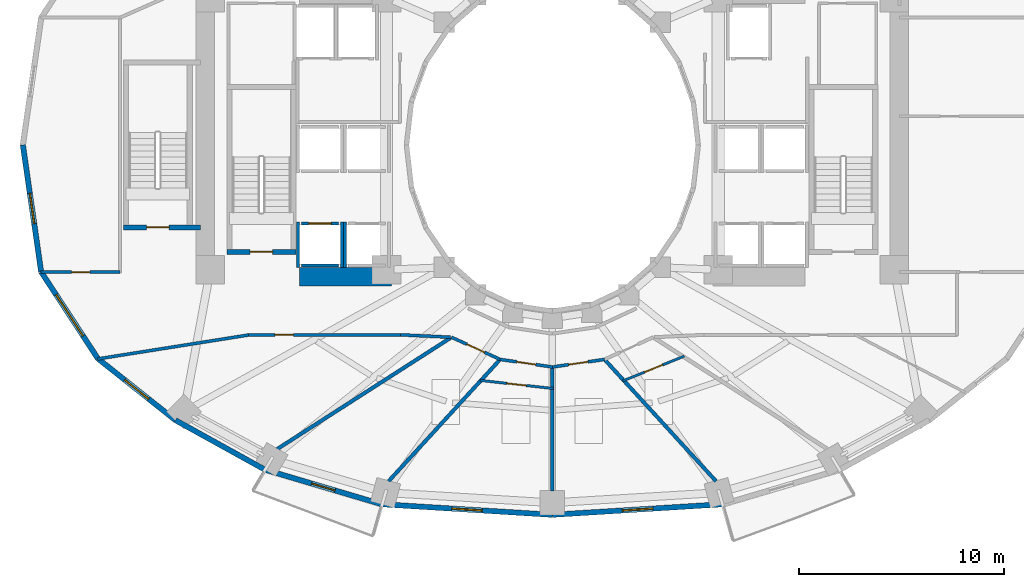
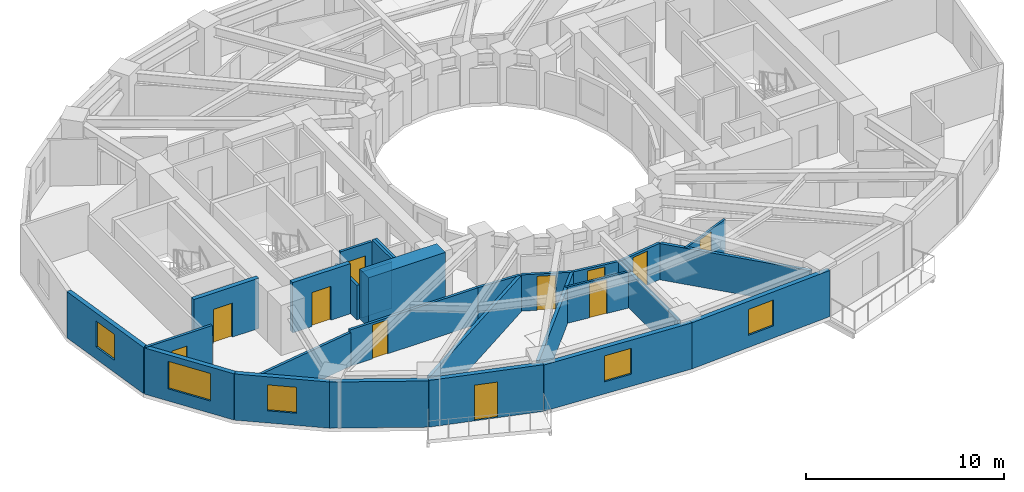
# One storey, part 3 of 11: 28 walls, 11 doors, 5 windows, 16 openings.
"""IFC4 building model written with IfcOpenShell, lengths in metres."""

from ifc_helpers import new_model, si_unit, direction, frame, frame_2d, origin, place, context, subcontext, project, spatial, rectangle, extrude, material, layer, layer_set, type_object, element, fill, save


model = new_model("IFC4")

# Units and contexts
model_context = context("Model", 3, precision=1e-05, world=origin(), true_north=direction((0.0, 1.0)))
body_context = subcontext(model_context, "Body", "Model", "MODEL_VIEW")
ifc_project = project(units=[si_unit("LENGTHUNIT", "METRE"), si_unit("AREAUNIT", "SQUARE_METRE"), si_unit("VOLUMEUNIT", "CUBIC_METRE"), si_unit("PLANEANGLEUNIT", "RADIAN"), si_unit("MASSUNIT", "GRAM", prefix="KILO")], contexts=[model_context])

# Site, building, storey
site_placement = place(None, origin())
site = spatial("IfcSite", under=ifc_project, at=site_placement, CompositionType="ELEMENT")
building_placement = place(site_placement, origin())
building = spatial("IfcBuilding", under=site, at=building_placement, Name="Solvane Sanctuary Tower", CompositionType="ELEMENT")
storey_placement = place(building_placement, frame((0.0, 0.0, 49.300048828125)))
storey = spatial("IfcBuildingStorey", under=building, at=storey_placement, Name="L14", CompositionType="ELEMENT", Elevation=49.300048828125)

# Wall
ifc_material_1 = material(Name="Concrete C70/85", Category="concrete")
ifc_layer_1 = layer(ifc_material_1, 0.89990234375, Name="Concrete C70/85")
ifc_layer_set_1 = layer_set([ifc_layer_1], Name="Concrete C70/85")
wall_type_1 = type_object("IfcWallType", Name="Wall W-CORE-900", PredefinedType="SHEAR", material=ifc_layer_set_1)
wall_1_placement = place(storey_placement, frame((19.64990234375, 16.550048828125, 0.0), z_axis=(0.0, 0.0, 1.0), x_axis=(1.0, 0.0, 0.0)))
element("IfcWall", 1, at=wall_1_placement, inside=storey, type_object=wall_type_1, Name="L14 Core Shear Wall WC-S", PredefinedType="SHEAR", context=body_context, shape_type="SweptSolid", body=[
    extrude(rectangle(XDim=4.5, YDim=0.89990234375, at=frame_2d((2.25, 0.0))), origin(), (0.0, 0.0, 1.0), 3.099853515625),
])

# Wall, opening, door
ifc_material_2 = material(Name="Acoustic Gypsum Partition Board")
ifc_layer_2 = layer(ifc_material_2, 0.14990234375, Name="Acoustic Gypsum Partition Board")
ifc_layer_set_2 = layer_set([ifc_layer_2], Name="Acoustic Gypsum Partition Board")
wall_type_2 = type_object("IfcWallType", Name="Wall W-CORR-150", PredefinedType="PARTITIONING", material=ifc_layer_set_2)
wall_2_placement = place(storey_placement, frame((7.013671875, 16.788330078125, 0.0), z_axis=(0.0, 0.0, 1.0), x_axis=(1.0, 0.0, 0.0)))
wall_2 = element("IfcWall", 2, at=wall_2_placement, inside=storey, type_object=wall_type_2, Name="L14 West Shoulder South Wall", PredefinedType="PARTITIONING", context=body_context, shape_type="SweptSolid", body=[
    extrude(rectangle(XDim=3.8662109375, YDim=0.14990234375, at=frame_2d((1.93310546875, 0.0))), origin(), (0.0, 0.0, 1.0), 2.85498046875),
])
opening_1_placement = place(wall_2_placement, frame((1.503173828125, 0.0, 0.0)))
opening_1 = element("IfcOpeningElement", 3, at=opening_1_placement, cuts=wall_2, Name="Opening D-L14-14", PredefinedType="OPENING", context=body_context, shape_type="SweptSolid", body=[
    extrude(rectangle(XDim=0.89990234375, YDim=2.10009765625, at=frame_2d((0.449951171875, 1.050048828125))), frame((0.0, 0.0849609375, 0.0), z_axis=(0.0, -1.0, 0.0), x_axis=(1.0, 0.0, 0.0)), (0.0, 0.0, 1.0), 0.169921875),
])
ifc_material_3 = material(Name="Engineered Tropical Hardwood", Category="wood")
door_type_1 = type_object("IfcDoorType", Name="Door D-WET-900", OperationType="NOTDEFINED", PredefinedType="DOOR", material=ifc_material_3)
door_1_placement = place(opening_1_placement, origin())
door_1 = element("IfcDoor", 4, at=door_1_placement, inside=storey, type_object=door_type_1, Name="L14 West Shoulder South Door", OperationType="SINGLE_SWING_RIGHT", OverallHeight=2.10009765625, OverallWidth=0.89990234375, PredefinedType="DOOR", context=body_context, shape_type="SweptSolid", body=[
    extrude(rectangle(XDim=0.89990234375, YDim=2.10009765625, at=frame_2d((0.449951171875, 1.050048828125))), frame((0.0, 0.02490234375, 0.0), z_axis=(0.0, -1.0, 0.0), x_axis=(1.0, 0.0, 0.0)), (0.0, 0.0, 1.0), 0.050048828125),
])
fill(opening_1, door_1)

# Wall
wall_3_placement = place(storey_placement, frame((27.02001953125, 13.606201171875, 0.0), z_axis=(0.0, 0.0, 1.0), x_axis=(-0.998877427952, 0.047369651964, 0.0)))
element("IfcWall", 5, at=wall_3_placement, inside=storey, type_object=wall_type_2, Name="L14 SW Corner Throat Wall", PredefinedType="PARTITIONING", context=body_context, shape_type="SweptSolid", body=[
    extrude(rectangle(XDim=2.4326171875, YDim=0.14990234375, at=frame_2d((1.21630859375, 0.0))), origin(), (0.0, 0.0, 1.0), 2.237060546875),
])

# Wall, opening, door
wall_4_placement = place(storey_placement, frame((17.14990234375, 13.719970703125, 0.0), z_axis=(0.0, 0.0, 1.0), x_axis=(1.0, 0.0, 0.0)))
wall_4 = element("IfcWall", 6, at=wall_4_placement, inside=storey, type_object=wall_type_2, Name="L14 SW Corner Corridor Wall", PredefinedType="PARTITIONING", context=body_context, shape_type="SweptSolid", body=[
    extrude(rectangle(XDim=7.52001953125, YDim=0.14990234375, at=frame_2d((3.760009765625, 0.0))), origin(), (0.0, 0.0, 1.0), 2.237060546875),
])
opening_2_placement = place(wall_4_placement, frame((1.300048828125, 0.0, 0.0)))
opening_2 = element("IfcOpeningElement", 7, at=opening_2_placement, cuts=wall_4, Name="Opening D-L14-19", PredefinedType="OPENING", context=body_context, shape_type="SweptSolid", body=[
    extrude(rectangle(XDim=0.89990234375, YDim=2.10009765625, at=frame_2d((0.449951171875, 1.050048828125))), frame((0.0, 0.0849609375, 0.0), z_axis=(0.0, -1.0, 0.0), x_axis=(1.0, 0.0, 0.0)), (0.0, 0.0, 1.0), 0.169921875),
])
door_2_placement = place(opening_2_placement, origin())
door_2 = element("IfcDoor", 8, at=door_2_placement, inside=storey, type_object=door_type_1, Name="L14 SW Corner Salon Door", OperationType="SINGLE_SWING_LEFT", OverallHeight=2.10009765625, OverallWidth=0.89990234375, PredefinedType="DOOR", context=body_context, shape_type="SweptSolid", body=[
    extrude(rectangle(XDim=0.89990234375, YDim=2.10009765625, at=frame_2d((0.449951171875, 1.050048828125))), frame((0.0, 0.02490234375, 0.0), z_axis=(0.0, -1.0, 0.0), x_axis=(1.0, 0.0, 0.0)), (0.0, 0.0, 1.0), 0.050048828125),
])
fill(opening_2, door_2)

# Wall
wall_5_placement = place(storey_placement, frame((17.24951171875, 13.727783203125, 0.0), z_axis=(0.0, 0.0, 1.0), x_axis=(-0.987655781226, -0.156639898525, 0.0)))
element("IfcWall", 9, at=wall_5_placement, inside=storey, type_object=wall_type_2, Name="L14 SW Corner Wing Wall", PredefinedType="PARTITIONING", context=body_context, shape_type="SweptSolid", body=[
    extrude(rectangle(XDim=7.551513671875, YDim=0.14990234375, at=frame_2d((3.77587890625, 0.0))), origin(), (0.0, 0.0, 1.0), 2.06884765625),
])

# Wall, opening, door
wall_6_placement = place(storey_placement, frame((27.069091796875, 13.607421875, 0.0), z_axis=(0.0, 0.0, 1.0), x_axis=(0.909747571199, -0.415161843982, 0.0)))
wall_6 = element("IfcWall", 10, at=wall_6_placement, inside=storey, type_object=wall_type_2, Name="L14 Unit Corridor Wall S1", PredefinedType="PARTITIONING", context=body_context, shape_type="SweptSolid", body=[
    extrude(rectangle(XDim=2.625, YDim=0.14990234375, at=frame_2d((1.3125, 0.0))), origin(), (0.0, 0.0, 1.0), 2.237060546875),
])
opening_3_placement = place(wall_6_placement, frame((0.837646484375, 0.0, 0.0)))
opening_3 = element("IfcOpeningElement", 11, at=opening_3_placement, cuts=wall_6, Name="Opening D-L14-27", PredefinedType="OPENING", context=body_context, shape_type="SweptSolid", body=[
    extrude(rectangle(XDim=0.949951171875, YDim=2.10009765625, at=frame_2d((0.47509765625, 1.050048828125))), frame((0.0, 0.0849609375, 0.0), z_axis=(0.0, -1.0, 0.0), x_axis=(1.0, 0.0, 0.0)), (0.0, 0.0, 1.0), 0.169921875),
])
door_type_2 = type_object("IfcDoorType", Name="Door D-ROOM-950", OperationType="NOTDEFINED", PredefinedType="DOOR", material=ifc_material_3)
door_3_placement = place(opening_3_placement, origin())
door_3 = element("IfcDoor", 12, at=door_3_placement, inside=storey, type_object=door_type_2, Name="L14 Unit Entrance Door S1", OperationType="SINGLE_SWING_LEFT", OverallHeight=2.10009765625, OverallWidth=0.949951171875, PredefinedType="DOOR", context=body_context, shape_type="SweptSolid", body=[
    extrude(rectangle(XDim=0.949951171875, YDim=2.10009765625, at=frame_2d((0.47509765625, 1.050048828125))), frame((0.0, 0.02490234375, 0.0), z_axis=(0.0, -1.0, 0.0), x_axis=(1.0, 0.0, 0.0)), (0.0, 0.0, 1.0), 0.050048828125),
])
fill(opening_3, door_3)

wall_7_placement = place(storey_placement, frame((29.444091796875, 12.521728515625, 0.0), z_axis=(0.0, 0.0, 1.0), x_axis=(0.989637894688, -0.143585644814, 0.0)))
wall_7 = element("IfcWall", 13, at=wall_7_placement, inside=storey, type_object=wall_type_2, Name="L14 Unit Corridor Wall S2", PredefinedType="PARTITIONING", context=body_context, shape_type="SweptSolid", body=[
    extrude(rectangle(XDim=2.589599609375, YDim=0.14990234375, at=frame_2d((1.294921875, 0.0))), origin(), (0.0, 0.0, 1.0), 2.237060546875),
])
opening_4_placement = place(wall_7_placement, frame((0.81982421875, 0.0, 0.0)))
opening_4 = element("IfcOpeningElement", 14, at=opening_4_placement, cuts=wall_7, Name="Opening D-L14-29", PredefinedType="OPENING", context=body_context, shape_type="SweptSolid", body=[
    extrude(rectangle(XDim=0.949951171875, YDim=2.10009765625, at=frame_2d((0.47509765625, 1.050048828125))), frame((0.0, 0.0849609375, 0.0), z_axis=(0.0, -1.0, 0.0), x_axis=(1.0, 0.0, 0.0)), (0.0, 0.0, 1.0), 0.169921875),
])
door_4_placement = place(opening_4_placement, origin())
door_4 = element("IfcDoor", 15, at=door_4_placement, inside=storey, type_object=door_type_2, Name="L14 Unit Entrance Door S2", OperationType="SINGLE_SWING_LEFT", OverallHeight=2.10009765625, OverallWidth=0.949951171875, PredefinedType="DOOR", context=body_context, shape_type="SweptSolid", body=[
    extrude(rectangle(XDim=0.949951171875, YDim=2.10009765625, at=frame_2d((0.47509765625, 1.050048828125))), frame((0.0, 0.02490234375, 0.0), z_axis=(0.0, -1.0, 0.0), x_axis=(1.0, 0.0, 0.0)), (0.0, 0.0, 1.0), 0.050048828125),
])
fill(opening_4, door_4)

wall_8_placement = place(storey_placement, frame((31.9931640625, 12.14990234375, 0.0), z_axis=(0.0, 0.0, 1.0), x_axis=(0.989637894688, 0.143585644814, 0.0)))
wall_8 = element("IfcWall", 16, at=wall_8_placement, inside=storey, type_object=wall_type_2, Name="L14 Unit Corridor Wall S3", PredefinedType="PARTITIONING", context=body_context, shape_type="SweptSolid", body=[
    extrude(rectangle(XDim=2.589599609375, YDim=0.14990234375, at=frame_2d((1.294921875, 0.0))), origin(), (0.0, 0.0, 1.0), 2.237060546875),
])
opening_5_placement = place(wall_8_placement, frame((0.81982421875, 0.0, 0.0)))
opening_5 = element("IfcOpeningElement", 17, at=opening_5_placement, cuts=wall_8, Name="Opening D-L14-30", PredefinedType="OPENING", context=body_context, shape_type="SweptSolid", body=[
    extrude(rectangle(XDim=0.949951171875, YDim=2.10009765625, at=frame_2d((0.47509765625, 1.050048828125))), frame((0.0, 0.0849609375, 0.0), z_axis=(0.0, -1.0, 0.0), x_axis=(1.0, 0.0, 0.0)), (0.0, 0.0, 1.0), 0.169921875),
])
door_5_placement = place(opening_5_placement, origin())
door_5 = element("IfcDoor", 18, at=door_5_placement, inside=storey, type_object=door_type_2, Name="L14 Unit Entrance Door S3", OperationType="SINGLE_SWING_RIGHT", OverallHeight=2.10009765625, OverallWidth=0.949951171875, PredefinedType="DOOR", context=body_context, shape_type="SweptSolid", body=[
    extrude(rectangle(XDim=0.949951171875, YDim=2.10009765625, at=frame_2d((0.47509765625, 1.050048828125))), frame((0.0, 0.02490234375, 0.0), z_axis=(0.0, -1.0, 0.0), x_axis=(1.0, 0.0, 0.0)), (0.0, 0.0, 1.0), 0.050048828125),
])
fill(opening_5, door_5)

# Wall, opening, window
ifc_material_4 = material(Name="Precast concrete C40/50", Category="concrete")
ifc_layer_3 = layer(ifc_material_4, 0.260009765625, Name="Precast concrete C40/50")
ifc_layer_set_3 = layer_set([ifc_layer_3], Name="Precast concrete C40/50")
wall_type_3 = type_object("IfcWallType", Name="Wall W-EXT-250", PredefinedType="STANDARD", material=ifc_layer_set_3)
wall_9_placement = place(storey_placement, frame((6.139892578125, 23.0, 0.0), z_axis=(0.0, 0.0, 1.0), x_axis=(0.142528001686, -0.989790770181, 0.0)))
wall_9 = element("IfcWall", 19, at=wall_9_placement, inside=storey, type_object=wall_type_3, Name="L14 Ceramic-Printed Facade Wall 12", PredefinedType="STANDARD", context=body_context, shape_type="SweptSolid", body=[
    extrude(rectangle(XDim=6.269287109375, YDim=0.260009765625, at=frame_2d((3.134765625, 0.0))), origin(), (0.0, 0.0, 1.0), 2.849853515625),
])
opening_6_placement = place(wall_9_placement, frame((2.384521484375, 0.0, 0.75)))
opening_6 = element("IfcOpeningElement", 20, at=opening_6_placement, cuts=wall_9, Name="Opening WN-OPER-1500", PredefinedType="OPENING", context=body_context, shape_type="SweptSolid", body=[
    extrude(rectangle(XDim=1.5, YDim=1.60009765625, at=frame_2d((0.75, 0.800048828125))), frame((0.0, 0.139892578125, 0.0), z_axis=(0.0, -1.0, 0.0), x_axis=(1.0, 0.0, 0.0)), (0.0, 0.0, 1.0), 0.280029296875),
])
ifc_material_5 = material(Name="Dark Ceramic-Fritted Low-E Glass", Category="glass")
window_type_1 = type_object("IfcWindowType", Name="Window WN-OPER-1500", PartitioningType="SINGLE_PANEL", PredefinedType="WINDOW", material=ifc_material_5)
window_1_placement = place(opening_6_placement, origin())
window_1 = element("IfcWindow", 21, at=window_1_placement, inside=storey, type_object=window_type_1, Name="L14 Operable Facade Window 12", OverallHeight=1.60009765625, OverallWidth=1.5, PartitioningType="SINGLE_PANEL", PredefinedType="WINDOW", context=body_context, shape_type="SweptSolid", body=[
    extrude(rectangle(XDim=1.5, YDim=1.60009765625, at=frame_2d((0.75, 0.800048828125))), frame((0.0, 0.030029296875, 0.0), z_axis=(0.0, -1.0, 0.0), x_axis=(1.0, 0.0, 0.0)), (0.0, 0.0, 1.0), 0.06005859375),
])
fill(opening_6, window_1)

wall_10_placement = place(storey_placement, frame((7.033447265625, 16.794677734375, 0.0), z_axis=(0.0, 0.0, 1.0), x_axis=(0.547702757047, -0.836672988642, 0.0)))
wall_10 = element("IfcWall", 22, at=wall_10_placement, inside=storey, type_object=wall_type_3, Name="L14 Ceramic-Printed Facade Wall 13", PredefinedType="STANDARD", context=body_context, shape_type="SweptSolid", body=[
    extrude(rectangle(XDim=5.0625, YDim=0.260009765625, at=frame_2d((2.53125, 0.0))), origin(), (0.0, 0.0, 1.0), 2.849853515625),
])
opening_7_placement = place(wall_10_placement, frame((1.331298828125, 0.0, 0.75)))
opening_7 = element("IfcOpeningElement", 23, at=opening_7_placement, cuts=wall_10, Name="Opening WN-RIB-2400", PredefinedType="OPENING", context=body_context, shape_type="SweptSolid", body=[
    extrude(rectangle(XDim=2.39990234375, YDim=1.699951171875, at=frame_2d((1.199951171875, 0.85009765625))), frame((0.0, 0.139892578125, 0.0), z_axis=(0.0, -1.0, 0.0), x_axis=(1.0, 0.0, 0.0)), (0.0, 0.0, 1.0), 0.280029296875),
])
window_type_2 = type_object("IfcWindowType", Name="Window WN-RIB-2400", PartitioningType="SINGLE_PANEL", PredefinedType="WINDOW", material=ifc_material_5)
window_2_placement = place(opening_7_placement, origin())
window_2 = element("IfcWindow", 24, at=window_2_placement, inside=storey, type_object=window_type_2, Name="L14 Operable Facade Window 13", OverallHeight=1.699951171875, OverallWidth=2.39990234375, PartitioningType="SINGLE_PANEL", PredefinedType="WINDOW", context=body_context, shape_type="SweptSolid", body=[
    extrude(rectangle(XDim=2.39990234375, YDim=1.699951171875, at=frame_2d((1.199951171875, 0.85009765625))), frame((0.0, 0.030029296875, 0.0), z_axis=(0.0, -1.0, 0.0), x_axis=(1.0, 0.0, 0.0)), (0.0, 0.0, 1.0), 0.06005859375),
])
fill(opening_7, window_2)

wall_11_placement = place(storey_placement, frame((9.80615234375, 12.55908203125, 0.0), z_axis=(0.0, 0.0, 1.0), x_axis=(0.783123133379, -0.621866672179, 0.0)))
wall_11 = element("IfcWall", 25, at=wall_11_placement, inside=storey, type_object=wall_type_3, Name="L14 Ceramic-Printed Facade Wall 14", PredefinedType="STANDARD", context=body_context, shape_type="SweptSolid", body=[
    extrude(rectangle(XDim=4.838623046875, YDim=0.260009765625, at=frame_2d((2.41943359375, 0.0))), origin(), (0.0, 0.0, 1.0), 2.849853515625),
])
opening_8_placement = place(wall_11_placement, frame((1.669189453125, 0.0, 0.75)))
opening_8 = element("IfcOpeningElement", 26, at=opening_8_placement, cuts=wall_11, Name="Opening WN-OPER-1500", PredefinedType="OPENING", context=body_context, shape_type="SweptSolid", body=[
    extrude(rectangle(XDim=1.5, YDim=1.60009765625, at=frame_2d((0.75, 0.800048828125))), frame((0.0, 0.139892578125, 0.0), z_axis=(0.0, -1.0, 0.0), x_axis=(1.0, 0.0, 0.0)), (0.0, 0.0, 1.0), 0.280029296875),
])
window_3_placement = place(opening_8_placement, origin())
window_3 = element("IfcWindow", 27, at=window_3_placement, inside=storey, type_object=window_type_1, Name="L14 Operable Facade Window 14", OverallHeight=1.60009765625, OverallWidth=1.5, PartitioningType="SINGLE_PANEL", PredefinedType="WINDOW", context=body_context, shape_type="SweptSolid", body=[
    extrude(rectangle(XDim=1.5, YDim=1.60009765625, at=frame_2d((0.75, 0.800048828125))), frame((0.0, 0.030029296875, 0.0), z_axis=(0.0, -1.0, 0.0), x_axis=(1.0, 0.0, 0.0)), (0.0, 0.0, 1.0), 0.06005859375),
])
fill(opening_8, window_3)

# Wall
wall_12_placement = place(storey_placement, frame((13.595458984375, 9.550048828125, 0.0), z_axis=(0.0, 0.0, 1.0), x_axis=(0.875137303239, -0.483874674352, 0.0)))
element("IfcWall", 28, at=wall_12_placement, inside=storey, type_object=wall_type_3, Name="L14 Ceramic-Printed Facade Wall 15", PredefinedType="STANDARD", context=body_context, shape_type="SweptSolid", body=[
    extrude(rectangle(XDim=4.985107421875, YDim=0.260009765625, at=frame_2d((2.49267578125, 0.0))), origin(), (0.0, 0.0, 1.0), 2.849853515625),
])

# Wall, opening, door
wall_13_placement = place(storey_placement, frame((17.9580078125, 7.137939453125, 0.0), z_axis=(0.0, 0.0, 1.0), x_axis=(0.958843593522, -0.283934786811, 0.0)))
wall_13 = element("IfcWall", 29, at=wall_13_placement, inside=storey, type_object=wall_type_3, Name="L14 Balcony Facade Wall S1", PredefinedType="STANDARD", context=body_context, shape_type="SweptSolid", body=[
    extrude(rectangle(XDim=5.955322265625, YDim=0.260009765625, at=frame_2d((2.9775390625, 0.0))), origin(), (0.0, 0.0, 1.0), 2.8798828125),
])
opening_9_placement = place(wall_13_placement, frame((2.377685546875, 0.0, 0.0)))
opening_9 = element("IfcOpeningElement", 30, at=opening_9_placement, cuts=wall_13, Name="Opening D-L14-03", PredefinedType="OPENING", context=body_context, shape_type="SweptSolid", body=[
    extrude(rectangle(XDim=1.199951171875, YDim=2.199951171875, at=frame_2d((0.60009765625, 1.10009765625))), frame((0.0, 0.139892578125, 0.0), z_axis=(0.0, -1.0, 0.0), x_axis=(1.0, 0.0, 0.0)), (0.0, 0.0, 1.0), 0.280029296875),
])
ifc_material_6 = material(Name="Anodised Aluminium 6063-T6", Category="aluminium")
door_type_3 = type_object("IfcDoorType", Name="Door D-BALC-1200", OperationType="NOTDEFINED", PredefinedType="DOOR", material=ifc_material_6)
door_6_placement = place(opening_9_placement, origin())
door_6 = element("IfcDoor", 31, at=door_6_placement, inside=storey, type_object=door_type_3, Name="L14 Glazed Balcony Door S1", OperationType="SINGLE_SWING_RIGHT", OverallHeight=2.199951171875, OverallWidth=1.199951171875, PredefinedType="DOOR", context=body_context, shape_type="SweptSolid", body=[
    extrude(rectangle(XDim=1.199951171875, YDim=2.199951171875, at=frame_2d((0.60009765625, 1.10009765625))), frame((0.0, 0.02490234375, 0.0), z_axis=(0.0, -1.0, 0.0), x_axis=(1.0, 0.0, 0.0)), (0.0, 0.0, 1.0), 0.050048828125),
])
fill(opening_9, door_6)

# Wall, opening, window
wall_14_placement = place(storey_placement, frame((23.668212890625, 5.447021484375, 0.0), z_axis=(0.0, 0.0, 1.0), x_axis=(0.998090514779, -0.061768311519, 0.0)))
wall_14 = element("IfcWall", 32, at=wall_14_placement, inside=storey, type_object=wall_type_3, Name="L14 Ceramic-Printed Facade Wall 17", PredefinedType="STANDARD", context=body_context, shape_type="SweptSolid", body=[
    extrude(rectangle(XDim=8.34765625, YDim=0.260009765625, at=frame_2d((4.173828125, 0.0))), origin(), (0.0, 0.0, 1.0), 2.849853515625),
])
opening_10_placement = place(wall_14_placement, frame((3.423828125, 0.0, 0.75)))
opening_10 = element("IfcOpeningElement", 33, at=opening_10_placement, cuts=wall_14, Name="Opening WN-OPER-1500", PredefinedType="OPENING", context=body_context, shape_type="SweptSolid", body=[
    extrude(rectangle(XDim=1.5, YDim=1.60009765625, at=frame_2d((0.75, 0.800048828125))), frame((0.0, 0.139892578125, 0.0), z_axis=(0.0, -1.0, 0.0), x_axis=(1.0, 0.0, 0.0)), (0.0, 0.0, 1.0), 0.280029296875),
])
window_4_placement = place(opening_10_placement, origin())
window_4 = element("IfcWindow", 34, at=window_4_placement, inside=storey, type_object=window_type_1, Name="L14 Operable Facade Window 17", OverallHeight=1.60009765625, OverallWidth=1.5, PartitioningType="SINGLE_PANEL", PredefinedType="WINDOW", context=body_context, shape_type="SweptSolid", body=[
    extrude(rectangle(XDim=1.5, YDim=1.60009765625, at=frame_2d((0.75, 0.800048828125))), frame((0.0, 0.030029296875, 0.0), z_axis=(0.0, -1.0, 0.0), x_axis=(1.0, 0.0, 0.0)), (0.0, 0.0, 1.0), 0.06005859375),
])
fill(opening_10, window_4)

wall_15_placement = place(storey_placement, frame((32.0, 4.931396484375, 0.0), z_axis=(0.0, 0.0, 1.0), x_axis=(0.998090514779, 0.061768311519, 0.0)))
wall_15 = element("IfcWall", 35, at=wall_15_placement, inside=storey, type_object=wall_type_3, Name="L14 Ceramic-Printed Facade Wall 18", PredefinedType="STANDARD", context=body_context, shape_type="SweptSolid", body=[
    extrude(rectangle(XDim=8.34765625, YDim=0.260009765625, at=frame_2d((4.173828125, 0.0))), origin(), (0.0, 0.0, 1.0), 2.849853515625),
])
opening_11_placement = place(wall_15_placement, frame((3.423828125, 0.0, 0.75)))
opening_11 = element("IfcOpeningElement", 36, at=opening_11_placement, cuts=wall_15, Name="Opening WN-OPER-1500", PredefinedType="OPENING", context=body_context, shape_type="SweptSolid", body=[
    extrude(rectangle(XDim=1.5, YDim=1.60009765625, at=frame_2d((0.75, 0.800048828125))), frame((0.0, 0.139892578125, 0.0), z_axis=(0.0, -1.0, 0.0), x_axis=(1.0, 0.0, 0.0)), (0.0, 0.0, 1.0), 0.280029296875),
])
window_5_placement = place(opening_11_placement, origin())
window_5 = element("IfcWindow", 37, at=window_5_placement, inside=storey, type_object=window_type_1, Name="L14 Operable Facade Window 18", OverallHeight=1.60009765625, OverallWidth=1.5, PartitioningType="SINGLE_PANEL", PredefinedType="WINDOW", context=body_context, shape_type="SweptSolid", body=[
    extrude(rectangle(XDim=1.5, YDim=1.60009765625, at=frame_2d((0.75, 0.800048828125))), frame((0.0, 0.030029296875, 0.0), z_axis=(0.0, -1.0, 0.0), x_axis=(1.0, 0.0, 0.0)), (0.0, 0.0, 1.0), 0.06005859375),
])
fill(opening_11, window_5)

# Wall, opening, door
ifc_layer_4 = layer(ifc_material_2, 0.1201171875, Name="Acoustic Gypsum Partition Board")
ifc_layer_set_4 = layer_set([ifc_layer_4], Name="Acoustic Gypsum Partition Board")
wall_type_4 = type_object("IfcWallType", Name="Wall W-MOV-100", PredefinedType="MOVABLE", material=ifc_layer_set_4)
wall_16_placement = place(storey_placement, frame((28.459716796875, 11.497802734375, 0.0), z_axis=(0.0, 0.0, 1.0), x_axis=(0.993882910401, -0.110438944277, 0.0)))
wall_16 = element("IfcWall", 38, at=wall_16_placement, inside=storey, type_object=wall_type_4, Name="L14 Suite Sitting Lounge Partition S2", PredefinedType="MOVABLE", context=body_context, shape_type="SweptSolid", body=[
    extrude(rectangle(XDim=3.6123046875, YDim=0.1201171875, at=frame_2d((1.80615234375, 0.0))), origin(), (0.0, 0.0, 1.0), 2.237060546875),
])
opening_12_placement = place(wall_16_placement, frame((1.3310546875, 0.0, 0.0)))
opening_12 = element("IfcOpeningElement", 39, at=opening_12_placement, cuts=wall_16, Name="Opening D-L14-28", PredefinedType="OPENING", context=body_context, shape_type="SweptSolid", body=[
    extrude(rectangle(XDim=0.949951171875, YDim=2.10009765625, at=frame_2d((0.47509765625, 1.050048828125))), frame((0.0, 0.070068359375, 0.0), z_axis=(0.0, -1.0, 0.0), x_axis=(1.0, 0.0, 0.0)), (0.0, 0.0, 1.0), 0.14013671875),
])
door_7_placement = place(opening_12_placement, origin())
door_7 = element("IfcDoor", 40, at=door_7_placement, inside=storey, type_object=door_type_2, Name="L14 Suite Sitting Lounge Door S2", OperationType="SINGLE_SWING_RIGHT", OverallHeight=2.10009765625, OverallWidth=0.949951171875, PredefinedType="DOOR", context=body_context, shape_type="SweptSolid", body=[
    extrude(rectangle(XDim=0.949951171875, YDim=2.10009765625, at=frame_2d((0.47509765625, 1.050048828125))), frame((0.0, 0.02490234375, 0.0), z_axis=(0.0, -1.0, 0.0), x_axis=(1.0, 0.0, 0.0)), (0.0, 0.0, 1.0), 0.050048828125),
])
fill(opening_12, door_7)

wall_17_placement = place(storey_placement, frame((35.444091796875, 11.4736328125, 0.0), z_axis=(0.0, 0.0, 1.0), x_axis=(0.927886718772, 0.372862222713, 0.0)))
wall_17 = element("IfcWall", 41, at=wall_17_placement, inside=storey, type_object=wall_type_4, Name="L14 Suite Sitting Lounge Partition S4", PredefinedType="MOVABLE", context=body_context, shape_type="SweptSolid", body=[
    extrude(rectangle(XDim=3.231201171875, YDim=0.1201171875, at=frame_2d((1.61572265625, 0.0))), origin(), (0.0, 0.0, 1.0), 2.237060546875),
])
opening_13_placement = place(wall_17_placement, frame((1.140625, 0.0, 0.0)))
opening_13 = element("IfcOpeningElement", 42, at=opening_13_placement, cuts=wall_17, Name="Opening D-L14-31", PredefinedType="OPENING", context=body_context, shape_type="SweptSolid", body=[
    extrude(rectangle(XDim=0.949951171875, YDim=2.10009765625, at=frame_2d((0.47509765625, 1.050048828125))), frame((0.0, 0.070068359375, 0.0), z_axis=(0.0, -1.0, 0.0), x_axis=(1.0, 0.0, 0.0)), (0.0, 0.0, 1.0), 0.14013671875),
])
door_8_placement = place(opening_13_placement, origin())
door_8 = element("IfcDoor", 43, at=door_8_placement, inside=storey, type_object=door_type_2, Name="L14 Suite Sitting Lounge Door S4", OperationType="SINGLE_SWING_LEFT", OverallHeight=2.10009765625, OverallWidth=0.949951171875, PredefinedType="DOOR", context=body_context, shape_type="SweptSolid", body=[
    extrude(rectangle(XDim=0.949951171875, YDim=2.10009765625, at=frame_2d((0.47509765625, 1.050048828125))), frame((0.0, 0.02490234375, 0.0), z_axis=(0.0, -1.0, 0.0), x_axis=(1.0, 0.0, 0.0)), (0.0, 0.0, 1.0), 0.050048828125),
])
fill(opening_13, door_8)

ifc_material_7 = material(Name="Concrete C50/60", Category="concrete")
ifc_layer_5 = layer(ifc_material_7, 0.14990234375, Name="Concrete C50/60")
ifc_layer_set_5 = layer_set([ifc_layer_5], Name="Concrete C50/60")
wall_type_5 = type_object("IfcWallType", Name="Wall W-SHAFT-150", PredefinedType="SOLIDWALL", material=ifc_layer_set_5)
wall_18_placement = place(storey_placement, frame((19.739990234375, 19.159912109375, 0.0), z_axis=(0.0, 0.0, 1.0), x_axis=(1.0, 0.0, 0.0)))
wall_18 = element("IfcWall", 44, at=wall_18_placement, inside=storey, type_object=wall_type_5, Name="L14 PL-1 Lift Shaft Wall F", PredefinedType="SOLIDWALL", context=body_context, shape_type="SweptSolid", body=[
    extrude(rectangle(XDim=1.820068359375, YDim=0.14990234375, at=frame_2d((0.91015625, 0.0))), origin(), (0.0, 0.0, 1.0), 2.85498046875),
])
opening_14_placement = place(wall_18_placement, frame((0.360107421875, 0.0, 0.0)))
opening_14 = element("IfcOpeningElement", 45, at=opening_14_placement, cuts=wall_18, Name="Opening LD-L14-01", PredefinedType="OPENING", context=body_context, shape_type="SweptSolid", body=[
    extrude(rectangle(XDim=1.10009765625, YDim=2.10009765625, at=frame_2d((0.550048828125, 1.050048828125))), frame((0.0, 0.0849609375, 0.0), z_axis=(0.0, -1.0, 0.0), x_axis=(1.0, 0.0, 0.0)), (0.0, 0.0, 1.0), 0.169921875),
])
ifc_material_8 = material(Name="Architectural Stainless Steel 316", Category="steel")
door_type_4 = type_object("IfcDoorType", Name="Door LD-PASS-1100", OperationType="NOTDEFINED", PredefinedType="DOOR", material=ifc_material_8)
door_9_placement = place(opening_14_placement, origin())
door_9 = element("IfcDoor", 46, at=door_9_placement, inside=storey, type_object=door_type_4, Name="L14 PL-1 Lift Landing Door", OperationType="DOUBLE_DOOR_SLIDING", OverallHeight=2.10009765625, OverallWidth=1.10009765625, PredefinedType="DOOR", context=body_context, shape_type="SweptSolid", body=[
    extrude(rectangle(XDim=1.10009765625, YDim=2.10009765625, at=frame_2d((0.550048828125, 1.050048828125))), frame((0.0, 0.02490234375, 0.0), z_axis=(0.0, -1.0, 0.0), x_axis=(1.0, 0.0, 0.0)), (0.0, 0.0, 1.0), 0.050048828125),
])
fill(opening_14, door_9)

# Walls
wall_19_placement = place(storey_placement, frame((19.739990234375, 17.10009765625, 0.0), z_axis=(0.0, 0.0, 1.0), x_axis=(1.0, 0.0, 0.0)))
element("IfcWall", 47, at=wall_19_placement, inside=storey, type_object=wall_type_5, Name="L14 PL-1 Lift Shaft Wall B", PredefinedType="SOLIDWALL", context=body_context, shape_type="SweptSolid", body=[
    extrude(rectangle(XDim=1.820068359375, YDim=0.14990234375, at=frame_2d((0.91015625, 0.0))), origin(), (0.0, 0.0, 1.0), 2.85498046875),
])
wall_20_placement = place(storey_placement, frame((19.570068359375, 17.02001953125, 0.0), z_axis=(0.0, 0.0, 1.0), x_axis=(0.0, 1.0, 0.0)))
element("IfcWall", 48, at=wall_20_placement, inside=storey, type_object=wall_type_5, Name="L14 PL-1 Lift Shaft Wall S1", PredefinedType="SOLIDWALL", context=body_context, shape_type="SweptSolid", body=[
    extrude(rectangle(XDim=2.219970703125, YDim=0.14990234375, at=frame_2d((1.10986328125, 0.0))), origin(), (0.0, 0.0, 1.0), 2.119873046875),
])
for number, where, z_axis, x_axis, name in (
    (49, (21.72998046875, 17.02001953125, 0.0), (0.0, 0.0, 1.0), (0.0, 1.0, 0.0), "L14 PL-1 Lift Shaft Wall S2"),
    (50, (21.8701171875, 17.02001953125, 0.0), (0.0, 0.0, 1.0), (0.0, 1.0, 0.0), "L14 PL-2 Lift Shaft Wall S1"),
):
    element("IfcWall", number, at=place(storey_placement, frame(where, z_axis=z_axis, x_axis=x_axis)), inside=storey, type_object=wall_type_5, Name=name, PredefinedType="SOLIDWALL", context=body_context, shape_type="SweptSolid", body=[
        extrude(rectangle(XDim=2.219970703125, YDim=0.14990234375, at=frame_2d((1.10986328125, 0.0))), origin(), (0.0, 0.0, 1.0), 2.85498046875),
    ])

# Wall, opening, door
ifc_layer_6 = layer(ifc_material_7, 0.25, Name="Concrete C50/60")
ifc_layer_set_6 = layer_set([ifc_layer_6], Name="Concrete C50/60")
wall_type_6 = type_object("IfcWallType", Name="Wall W-SHAFT-250", PredefinedType="SOLIDWALL", material=ifc_layer_set_6)
wall_21_placement = place(storey_placement, frame((16.10498046875, 17.77001953125, 0.0), z_axis=(0.0, 0.0, 1.0), x_axis=(1.0, 0.0, 0.0)))
wall_21 = element("IfcWall", 51, at=wall_21_placement, inside=storey, type_object=wall_type_6, Name="L14 ST-1 Load-Bearing Shaft Wall S", PredefinedType="SOLIDWALL", context=body_context, shape_type="SweptSolid", body=[
    extrude(rectangle(XDim=3.3701171875, YDim=0.25, at=frame_2d((1.68505859375, 0.0))), origin(), (0.0, 0.0, 1.0), 3.099853515625),
])
opening_15_placement = place(wall_21_placement, frame((1.135009765625, 0.0, 0.0)))
opening_15 = element("IfcOpeningElement", 52, at=opening_15_placement, cuts=wall_21, Name="Opening D-L14-05", PredefinedType="OPENING", context=body_context, shape_type="SweptSolid", body=[
    extrude(rectangle(XDim=1.10009765625, YDim=2.10009765625, at=frame_2d((0.550048828125, 1.050048828125))), frame((0.0, 0.135009765625, 0.0), z_axis=(0.0, -1.0, 0.0), x_axis=(1.0, 0.0, 0.0)), (0.0, 0.0, 1.0), 0.27001953125),
])
door_type_5 = type_object("IfcDoorType", Name="Door D-STAIR", OperationType="NOTDEFINED", PredefinedType="DOOR", material=ifc_material_8)
door_10_placement = place(opening_15_placement, origin())
door_10 = element("IfcDoor", 53, at=door_10_placement, inside=storey, type_object=door_type_5, Name="L14 ST-1 Exit Stair Fire Door", OperationType="SINGLE_SWING_RIGHT", OverallHeight=2.10009765625, OverallWidth=1.10009765625, PredefinedType="DOOR", context=body_context, shape_type="SweptSolid", body=[
    extrude(rectangle(XDim=1.10009765625, YDim=2.10009765625, at=frame_2d((0.550048828125, 1.050048828125))), frame((0.0, 0.02490234375, 0.0), z_axis=(0.0, -1.0, 0.0), x_axis=(1.0, 0.0, 0.0)), (0.0, 0.0, 1.0), 0.050048828125),
])
fill(opening_15, door_10)

wall_22_placement = place(storey_placement, frame((11.044921875, 18.969970703125, 0.0), z_axis=(0.0, 0.0, 1.0), x_axis=(1.0, 0.0, 0.0)))
wall_22 = element("IfcWall", 54, at=wall_22_placement, inside=storey, type_object=wall_type_6, Name="L14 ST-3 Load-Bearing Shaft Wall S", PredefinedType="SOLIDWALL", context=body_context, shape_type="SweptSolid", body=[
    extrude(rectangle(XDim=3.781982421875, YDim=0.25, at=frame_2d((1.89111328125, 0.0))), origin(), (0.0, 0.0, 1.0), 3.099853515625),
])
opening_16_placement = place(wall_22_placement, frame((1.135009765625, 0.0, 0.0)))
opening_16 = element("IfcOpeningElement", 55, at=opening_16_placement, cuts=wall_22, Name="Opening D-L14-07", PredefinedType="OPENING", context=body_context, shape_type="SweptSolid", body=[
    extrude(rectangle(XDim=1.10009765625, YDim=2.10009765625, at=frame_2d((0.550048828125, 1.050048828125))), frame((0.0, 0.135009765625, 0.0), z_axis=(0.0, -1.0, 0.0), x_axis=(1.0, 0.0, 0.0)), (0.0, 0.0, 1.0), 0.27001953125),
])
door_11_placement = place(opening_16_placement, origin())
door_11 = element("IfcDoor", 56, at=door_11_placement, inside=storey, type_object=door_type_5, Name="L14 ST-3 Exit Stair Fire Door", OperationType="SINGLE_SWING_RIGHT", OverallHeight=2.10009765625, OverallWidth=1.10009765625, PredefinedType="DOOR", context=body_context, shape_type="SweptSolid", body=[
    extrude(rectangle(XDim=1.10009765625, YDim=2.10009765625, at=frame_2d((0.550048828125, 1.050048828125))), frame((0.0, 0.02490234375, 0.0), z_axis=(0.0, -1.0, 0.0), x_axis=(1.0, 0.0, 0.0)), (0.0, 0.0, 1.0), 0.050048828125),
])
fill(opening_16, door_11)

# Walls
ifc_layer_7 = layer(ifc_material_2, 0.179931640625, Name="Acoustic Gypsum Partition Board")
ifc_layer_set_7 = layer_set([ifc_layer_7], Name="Acoustic Gypsum Partition Board")
wall_type_7 = type_object("IfcWallType", Name="Wall W-UNIT-180", PredefinedType="PARTITIONING", material=ifc_layer_set_7)
wall_23_placement = place(storey_placement, frame((27.02880859375, 13.573974609375, 0.0), z_axis=(0.0, 0.0, 1.0), x_axis=(-0.841689919529, -0.5399611832, 0.0)))
element("IfcWall", 57, at=wall_23_placement, inside=storey, type_object=wall_type_7, Name="L14 Radial Compartment Wall 240", PredefinedType="PARTITIONING", context=body_context, shape_type="SweptSolid", body=[
    extrude(rectangle(XDim=10.058349609375, YDim=0.179931640625, at=frame_2d((5.029296875, 0.0))), origin(), (0.0, 0.0, 1.0), 2.237060546875),
])
wall_24_placement = place(storey_placement, frame((29.41357421875, 12.47900390625, 0.0), z_axis=(0.0, 0.0, 1.0), x_axis=(-0.675465011224, -0.737392038615, 0.0)))
element("IfcWall", 58, at=wall_24_placement, inside=storey, type_object=wall_type_7, Name="L14 Radial Compartment Wall 255", PredefinedType="PARTITIONING", context=body_context, shape_type="SweptSolid", body=[
    extrude(rectangle(XDim=8.007080078125, YDim=0.179931640625, at=frame_2d((4.00341796875, 0.0))), origin(), (0.0, 0.0, 1.0), 2.237060546875),
])
wall_25_placement = place(storey_placement, frame((32.0, 12.094970703125, 0.0), z_axis=(0.0, 0.0, 1.0), x_axis=(0.0, -1.0, 0.0)))
element("IfcWall", 59, at=wall_25_placement, inside=storey, type_object=wall_type_7, Name="L14 Radial Compartment Wall 270", PredefinedType="PARTITIONING", context=body_context, shape_type="SweptSolid", body=[
    extrude(rectangle(XDim=5.994873046875, YDim=0.179931640625, at=frame_2d((2.99755859375, 0.0))), origin(), (0.0, 0.0, 1.0), 2.237060546875),
])
wall_26_placement = place(storey_placement, frame((34.58642578125, 12.47900390625, 0.0), z_axis=(0.0, 0.0, 1.0), x_axis=(0.675465011224, -0.737392038615, 0.0)))
element("IfcWall", 60, at=wall_26_placement, inside=storey, type_object=wall_type_7, Name="L14 Radial Compartment Wall 285", PredefinedType="PARTITIONING", context=body_context, shape_type="SweptSolid", body=[
    extrude(rectangle(XDim=8.007080078125, YDim=0.179931640625, at=frame_2d((4.00341796875, 0.0))), origin(), (0.0, 0.0, 1.0), 2.237060546875),
])

save(model, "model.ifc")
